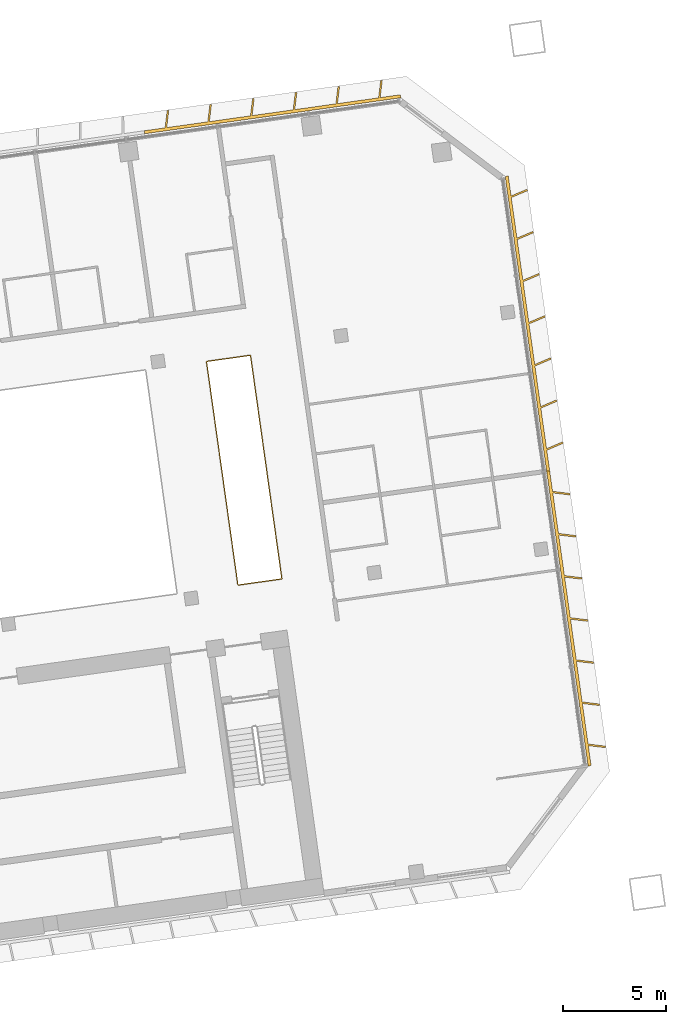
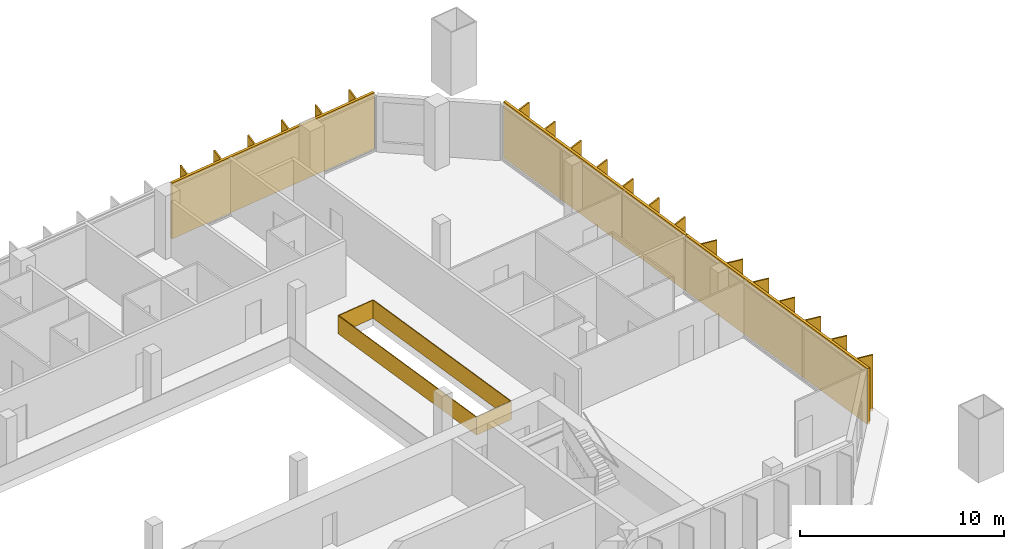
# One storey, part 25 of 25: 3 shading devices, 1 railing.
"""IFC4 building model written with IfcOpenShell, lengths in metres."""

from ifc_helpers import new_model, si_unit, direction, frame, origin, origin_2d, place, context, subcontext, project, spatial, polyline, rectangle, outline, extrude, material, type_object, element, save


model = new_model("IFC4")

# Units and contexts
model_context = context("Model", 3, precision=1e-05, world=origin(), true_north=direction((0.0, 1.0)))
body_context = subcontext(model_context, "Body", "Model", "MODEL_VIEW")
ifc_project = project(units=[si_unit("LENGTHUNIT", "METRE"), si_unit("AREAUNIT", "SQUARE_METRE"), si_unit("VOLUMEUNIT", "CUBIC_METRE"), si_unit("PLANEANGLEUNIT", "RADIAN"), si_unit("MASSUNIT", "GRAM", prefix="KILO")], contexts=[model_context])

# Site, building, storey
site_placement = place(None, origin())
site = spatial("IfcSite", under=ifc_project, at=site_placement, CompositionType="ELEMENT")
building_placement = place(site_placement, origin())
building = spatial("IfcBuilding", under=site, at=building_placement, Name="Mirante Cascada Hotel Towers", CompositionType="ELEMENT")
storey_placement = place(building_placement, frame((0.0, 0.0, 102.5)))
storey = spatial("IfcBuildingStorey", under=building, at=storey_placement, Name="L22", CompositionType="ELEMENT", Elevation=102.5)

# Railing
ifc_material_1 = material(Name="Toughened glass with stainless steel handrail", Category="steel")
railing_type = type_object("IfcRailingType", Name="Atrium guard 1100 glass balustrade", PredefinedType="GUARDRAIL", material=ifc_material_1)
railing_placement = place(storey_placement, frame((86.2624, 2.4738, 0.0)))
element("IfcRailing", 1, at=railing_placement, inside=storey, type_object=railing_type, Name="GUARD 2-L22-3", PredefinedType="GUARDRAIL", context=body_context, shape_type="SweptSolid", body=[
    extrude(rectangle(XDim=0.048, YDim=0.048, at=origin_2d()), frame((0.0, 0.0, 1.076), z_axis=(0.9902724, 0.1391422, 0.0), x_axis=(-0.1391422, 0.9902724, 0.0)), (0.0, 0.0, 1.0), 2.1625),
    extrude(rectangle(XDim=0.02, YDim=1.052, at=origin_2d()), frame((0.0, 0.0, 0.526), z_axis=(0.9902724, 0.1391422, 0.0), x_axis=(-0.1391422, 0.9902724, 0.0)), (0.0, 0.0, 1.0), 2.1625),
    extrude(rectangle(XDim=0.048, YDim=0.048, at=origin_2d()), frame((2.1415, 0.3009, 1.076), z_axis=(-0.1391721, 0.9902682, 0.0), x_axis=(-0.9902682, -0.1391721, 0.0)), (0.0, 0.0, 1.0), 11.0001),
    extrude(rectangle(XDim=0.02, YDim=1.052, at=origin_2d()), frame((2.1415, 0.3009, 0.526), z_axis=(-0.1391721, 0.9902682, 0.0), x_axis=(-0.9902682, -0.1391721, 0.0)), (0.0, 0.0, 1.0), 11.0001),
    extrude(rectangle(XDim=0.048, YDim=0.048, at=origin_2d()), frame((0.6106, 11.1939, 1.076), z_axis=(-0.990266, -0.1391875, 0.0), x_axis=(0.1391875, -0.990266, 0.0)), (0.0, 0.0, 1.0), 2.1626),
    extrude(rectangle(XDim=0.02, YDim=1.052, at=origin_2d()), frame((0.6106, 11.1939, 0.526), z_axis=(-0.990266, -0.1391875, 0.0), x_axis=(0.1391875, -0.990266, 0.0)), (0.0, 0.0, 1.0), 2.1626),
    extrude(rectangle(XDim=0.048, YDim=0.048, at=origin_2d()), frame((-1.5309, 10.8929, 1.076), z_axis=(0.1391733, -0.990268, 0.0), x_axis=(0.990268, 0.1391733, 0.0)), (0.0, 0.0, 1.0), 11.0),
    extrude(rectangle(XDim=0.02, YDim=1.052, at=origin_2d()), frame((-1.5309, 10.8929, 0.526), z_axis=(0.1391733, -0.990268, 0.0), x_axis=(0.990268, 0.1391733, 0.0)), (0.0, 0.0, 1.0), 11.0),
])

# Shading devices
ifc_material_2 = material(Name="White precast concrete C50/60 fin", Category="concrete")
shading_device_type = type_object("IfcShadingDeviceType", Name="Vertical fin set 4500x900", PredefinedType="USERDEFINED", material=ifc_material_2)
shading_device_1_placement = place(storey_placement, origin())
element("IfcShadingDevice", 2, at=shading_device_1_placement, inside=storey, type_object=shading_device_type, Name="FIN T2 L22 front 1", ObjectType="FIN", PredefinedType="USERDEFINED", context=body_context, shape_type="SweptSolid", body=[
    extrude(outline(polyline([(82.8967, 25.5893), (82.7946, 24.758), (84.7922, 25.0387), (84.8968, 25.8913), (84.9762, 25.8815), (84.8742, 25.0503), (86.8717, 25.331), (86.9764, 26.1835), (87.0558, 26.1738), (86.9537, 25.3425), (88.9513, 25.6233), (89.056, 26.4758), (89.1354, 26.4661), (89.0333, 25.6348), (91.0308, 25.9155), (91.1355, 26.7681), (91.2149, 26.7583), (91.1129, 25.9271), (93.1104, 26.2078), (93.2151, 27.0603), (93.2945, 27.0506), (93.1924, 26.2193), (94.1779, 26.3578), (94.1988, 26.2093), (81.7214, 24.4557), (81.7006, 24.6042), (82.7126, 24.7465), (82.8173, 25.599), (82.8967, 25.5893)])), origin(), (0.0, 0.0, 1.0), 3.35),
])
shading_device_2_placement = place(storey_placement, origin())
element("IfcShadingDevice", 3, at=shading_device_2_placement, inside=storey, type_object=shading_device_type, Name="FIN T2 L22 outer 1", ObjectType="FIN", PredefinedType="USERDEFINED", context=body_context, shape_type="SweptSolid", body=[
    extrude(outline(polyline([(104.1606, -5.4483), (103.3293, -5.3462), (103.4659, -6.3175), (103.3173, -6.3384), (101.2993, 8.0205), (101.4478, 8.0413), (101.5881, 7.0434), (102.4406, 6.9388), (102.4309, 6.8594), (101.5996, 6.9614), (101.8764, 4.9922), (102.7289, 4.8875), (102.7192, 4.8081), (101.8879, 4.9102), (102.1647, 2.9409), (103.0172, 2.8362), (103.0075, 2.7568), (102.1762, 2.8589), (102.4529, 0.8896), (103.3055, 0.785), (103.2957, 0.7056), (102.4645, 0.8076), (102.7412, -1.1616), (103.5938, -1.2663), (103.584, -1.3457), (102.7528, -1.2436), (103.0295, -3.2129), (103.8821, -3.3176), (103.8723, -3.397), (103.041, -3.2949), (103.3178, -5.2642), (104.1704, -5.3689), (104.1606, -5.4483)])), origin(), (0.0, 0.0, 1.0), 3.35),
])
shading_device_3_placement = place(storey_placement, origin())
element("IfcShadingDevice", 4, at=shading_device_3_placement, inside=storey, type_object=shading_device_type, Name="FIN T2 L22 outer 2", ObjectType="FIN", PredefinedType="USERDEFINED", context=body_context, shape_type="SweptSolid", body=[
    extrude(outline(polyline([(102.0983, 9.3749), (101.3076, 9.0392), (101.4478, 8.0413), (101.2993, 8.0205), (99.2813, 22.3794), (99.4298, 22.4002), (99.5663, 21.4289), (100.3373, 21.7561), (100.3685, 21.6825), (99.5779, 21.3469), (99.8546, 19.3776), (100.6256, 19.7048), (100.6568, 19.6312), (99.8662, 19.2956), (100.1429, 17.3263), (100.9139, 17.6536), (100.9451, 17.5799), (100.1544, 17.2443), (100.4312, 15.2751), (101.2021, 15.6023), (101.2334, 15.5287), (100.4427, 15.193), (100.7195, 13.2238), (101.4904, 13.551), (101.5217, 13.4774), (100.731, 13.1418), (101.0078, 11.1725), (101.7787, 11.4998), (101.81, 11.4261), (101.0193, 11.0905), (101.2961, 9.1212), (102.067, 9.4485), (102.0983, 9.3749)])), origin(), (0.0, 0.0, 1.0), 3.35),
])

save(model, "model.ifc")
